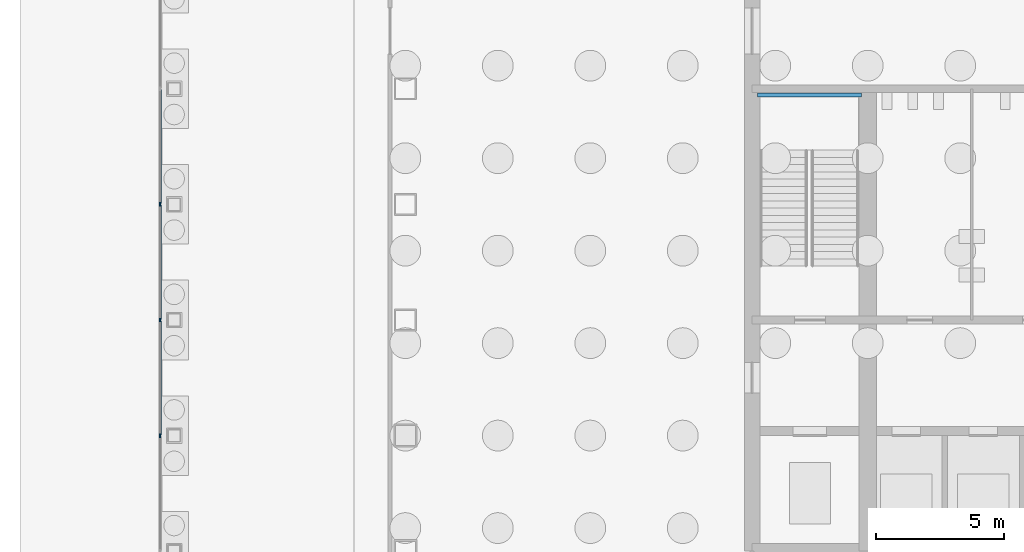
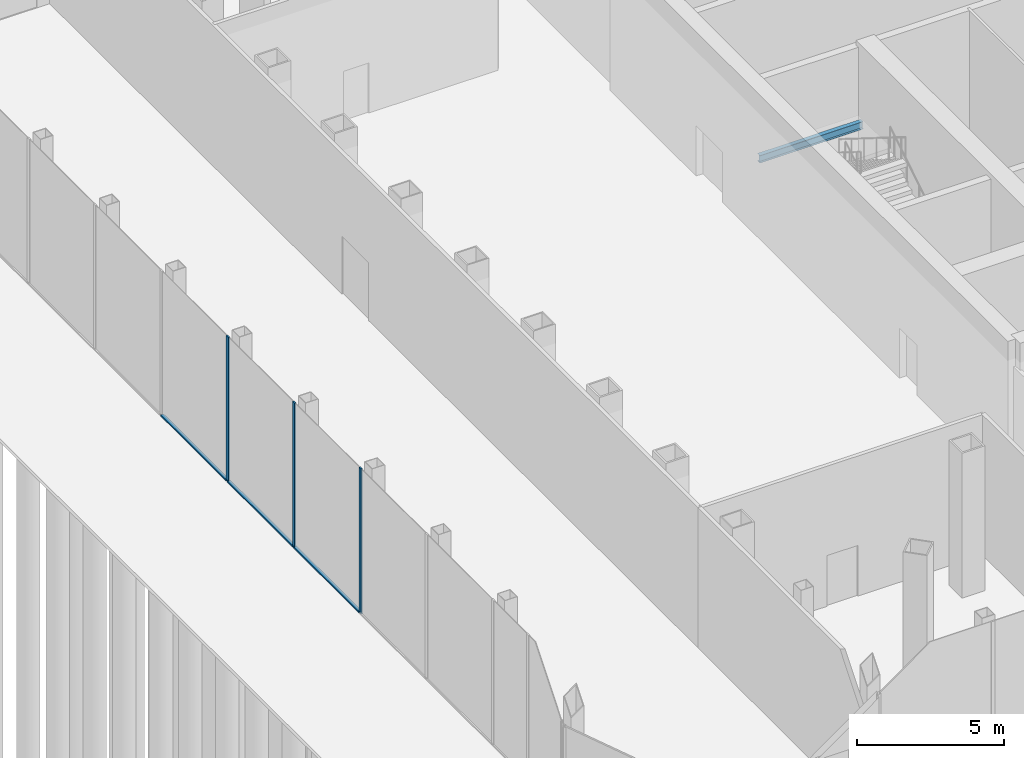
# One storey, part 8 of 24: 6 members, 1 beam, 1 element without a shape of its own.
"""IFC4 building model written with IfcOpenShell, lengths in metres."""

from ifc_helpers import new_model, si_unit, direction, frame, origin, origin_2d, place, context, subcontext, project, spatial, rectangle, i_section, extrude, material, material_profile, profile_set, type_object, element, aggregate, save


model = new_model("IFC4")

# Units and contexts
model_context = context("Model", 3, precision=1e-05, world=origin(), true_north=direction((0.0, 1.0)))
body_context = subcontext(model_context, "Body", "Model", "MODEL_VIEW")
ifc_project = project(units=[si_unit("LENGTHUNIT", "METRE"), si_unit("AREAUNIT", "SQUARE_METRE"), si_unit("VOLUMEUNIT", "CUBIC_METRE"), si_unit("PLANEANGLEUNIT", "RADIAN"), si_unit("MASSUNIT", "GRAM", prefix="KILO")], contexts=[model_context])

# Site, building, storey
site_placement = place(None, origin())
site = spatial("IfcSite", under=ifc_project, at=site_placement, CompositionType="ELEMENT")
building_placement = place(site_placement, origin())
building = spatial("IfcBuilding", under=site, at=building_placement, Name="Corais Broadcast Tower", CompositionType="ELEMENT")
storey_placement = place(building_placement, origin())
storey = spatial("IfcBuildingStorey", under=building, at=storey_placement, Name="L00", CompositionType="ELEMENT", Elevation=0.0)

# Beam
ifc_material_1 = material(Name="Steel ASTM A572 Grade 50", Category="steel")
ifc_material_profile_1 = material_profile(ifc_material_1, i_section(OverallWidth=0.1650390625, OverallDepth=0.31005859375, WebThickness=0.005859375, FlangeThickness=0.009765625, at=origin_2d()), Name="W310x38.7")
ifc_profile_set_1 = profile_set([ifc_material_profile_1], Name="Steel ASTM A572 Grade 50")
beam_type = type_object("IfcBeamType", Name="Landing trimmer W310x38.7", PredefinedType="BEAM", material=ifc_profile_set_1)
beam_placement = place(storey_placement, frame((13.699951171875, 31.260009765625, 2.64501953125), z_axis=(1.0, 0.0, 0.0), x_axis=(0.0, 1.0, 0.0)))
element("IfcBeam", 1, at=beam_placement, inside=storey, type_object=beam_type, Name="LT1 stair A half landing trimmer L00", PredefinedType="BEAM", context=body_context, shape_type="SweptSolid", body=[
    extrude(i_section(OverallWidth=0.1650390625, OverallDepth=0.31005859375, WebThickness=0.005859375, FlangeThickness=0.009765625, at=origin_2d()), origin(), (0.0, 0.0, 1.0), 4.050048828125),
])

# Curtain wall, members
ifc_material_2 = material(Name="Aluminium and glass", Category="aluminium")
curtain_wall_type = type_object("IfcCurtainWallType", Name="Storefront curtain wall CW5", PredefinedType="NOTDEFINED", material=ifc_material_2)
curtain_wall_placement = place(storey_placement, origin())
curtain_wall = element("IfcCurtainWall", 2, at=curtain_wall_placement, inside=storey, type_object=curtain_wall_type, Name="CW5 curtain wall L00 2", PredefinedType="NOTDEFINED")
ifc_material_3 = material(Name="Aluminium 6063-T6", Category="aluminium")
ifc_material_profile_2 = material_profile(ifc_material_3, rectangle(XDim=0.06005859375, YDim=0.14990234375, at=origin_2d()), Name="Mullion CW5 60x150")
ifc_profile_set_2 = profile_set([ifc_material_profile_2], Name="Aluminium 6063-T6")
member_type_1 = type_object("IfcMemberType", Name="Mullion CW5 60x150", PredefinedType="MULLION", material=ifc_profile_set_2)
member_1_placement = place(storey_placement, frame((-9.550048828125, 18.0, 0.0), z_axis=(0.0, 0.0, 1.0), x_axis=(-1.0, 0.0, 0.0)))
member_1 = element("IfcMember", 3, at=member_1_placement, type_object=member_type_1, Name="CW5 mullion 5", PredefinedType="MULLION", context=body_context, shape_type="SweptSolid", body=[
    extrude(rectangle(XDim=0.06005859375, YDim=0.14990234375, at=origin_2d()), origin(), (0.0, 0.0, 1.0), 6.0),
])
member_2_placement = place(storey_placement, frame((-9.550048828125, 22.5, 0.0), z_axis=(0.0, 0.0, 1.0), x_axis=(-1.0, 0.0, 0.0)))
member_2 = element("IfcMember", 4, at=member_2_placement, type_object=member_type_1, Name="CW5 mullion 6", PredefinedType="MULLION", context=body_context, shape_type="SweptSolid", body=[
    extrude(rectangle(XDim=0.06005859375, YDim=0.14990234375, at=origin_2d()), origin(), (0.0, 0.0, 1.0), 6.0),
])
member_3_placement = place(storey_placement, frame((-9.550048828125, 27.0, 0.0), z_axis=(0.0, 0.0, 1.0), x_axis=(-1.0, 0.0, 0.0)))
member_3 = element("IfcMember", 5, at=member_3_placement, type_object=member_type_1, Name="CW5 mullion 7", PredefinedType="MULLION", context=body_context, shape_type="SweptSolid", body=[
    extrude(rectangle(XDim=0.06005859375, YDim=0.14990234375, at=origin_2d()), origin(), (0.0, 0.0, 1.0), 6.0),
])
ifc_material_4 = material(Name="Aluminium 6063-T6", Category="aluminium")
ifc_material_profile_3 = material_profile(ifc_material_4, rectangle(XDim=0.1201171875, YDim=0.06005859375, at=origin_2d()), Name="Transom CW5 60x120")
ifc_profile_set_3 = profile_set([ifc_material_profile_3], Name="Aluminium 6063-T6")
member_type_2 = type_object("IfcMemberType", Name="Transom CW5 60x120", PredefinedType="USERDEFINED", material=ifc_profile_set_3)
member_4_placement = place(storey_placement, frame((-9.550048828125, 18.030029296875, 0.030029296875), z_axis=(0.0, 1.0, 0.0), x_axis=(-1.0, 0.0, 0.0)))
member_4 = element("IfcMember", 6, at=member_4_placement, type_object=member_type_2, Name="CW5 transom 5.1", ObjectType="TRANSOM", PredefinedType="USERDEFINED", context=body_context, shape_type="SweptSolid", body=[
    extrude(rectangle(XDim=0.1201171875, YDim=0.06005859375, at=origin_2d()), origin(), (0.0, 0.0, 1.0), 4.43994140625),
])
member_5_placement = place(storey_placement, frame((-9.550048828125, 22.530029296875, 0.030029296875), z_axis=(0.0, 1.0, 0.0), x_axis=(-1.0, 0.0, 0.0)))
member_5 = element("IfcMember", 7, at=member_5_placement, type_object=member_type_2, Name="CW5 transom 6.1", ObjectType="TRANSOM", PredefinedType="USERDEFINED", context=body_context, shape_type="SweptSolid", body=[
    extrude(rectangle(XDim=0.1201171875, YDim=0.06005859375, at=origin_2d()), origin(), (0.0, 0.0, 1.0), 4.43994140625),
])
member_6_placement = place(storey_placement, frame((-9.550048828125, 27.030029296875, 0.030029296875), z_axis=(0.0, 1.0, 0.0), x_axis=(-1.0, 0.0, 0.0)))
member_6 = element("IfcMember", 8, at=member_6_placement, type_object=member_type_2, Name="CW5 transom 7.1", ObjectType="TRANSOM", PredefinedType="USERDEFINED", context=body_context, shape_type="SweptSolid", body=[
    extrude(rectangle(XDim=0.1201171875, YDim=0.06005859375, at=origin_2d()), origin(), (0.0, 0.0, 1.0), 4.43994140625),
])
aggregate(curtain_wall, [member_1, member_2, member_3, member_4, member_5, member_6])

save(model, "model.ifc")
